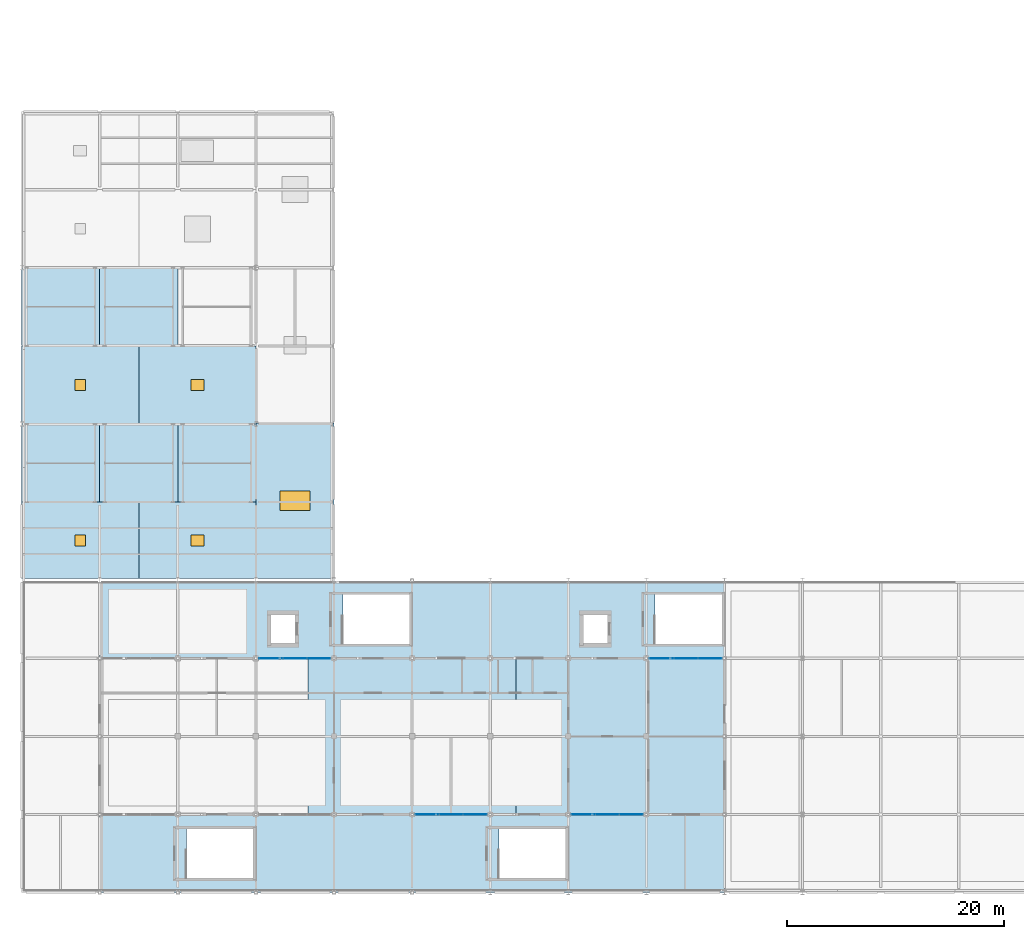
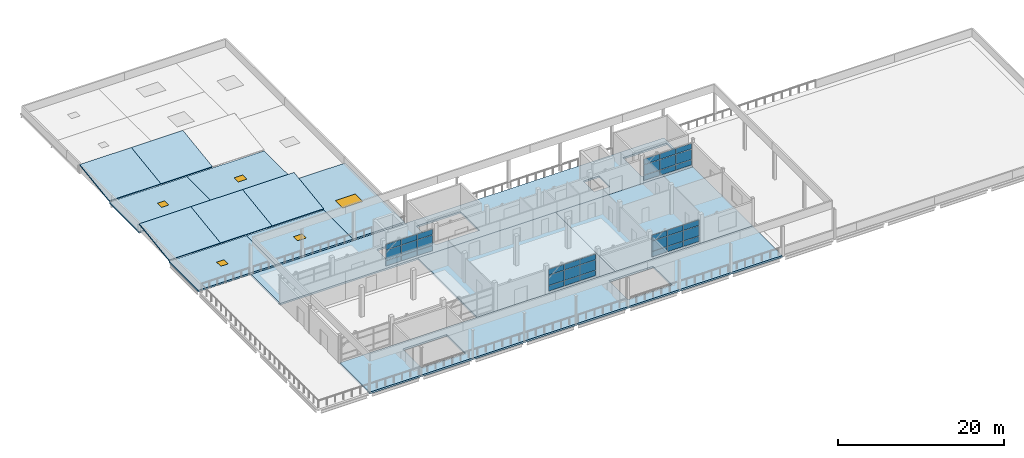
# One storey, part 16 of 32: 36 plates, 14 slabs, 4 doors, 1 window, 5 openings, 4 elements without a shape of their own.
"""IFC4 building model written with IfcOpenShell, lengths in metres."""

from ifc_helpers import new_model, si_unit, direction, frame, origin, origin_2d, place, context, subcontext, project, spatial, polyline, rectangle, outline, extrude, material, layer, layer_set, type_object, element, fill, aggregate, save


model = new_model("IFC4")

# Units and contexts
model_context = context("Model", 3, precision=1e-05, world=origin(), true_north=direction((0.0, 1.0)))
body_context = subcontext(model_context, "Body", "Model", "MODEL_VIEW")
ifc_project = project(units=[si_unit("LENGTHUNIT", "METRE"), si_unit("AREAUNIT", "SQUARE_METRE"), si_unit("VOLUMEUNIT", "CUBIC_METRE"), si_unit("PLANEANGLEUNIT", "RADIAN"), si_unit("MASSUNIT", "GRAM", prefix="KILO")], contexts=[model_context])

# Site, building, storey
site_placement = place(None, origin())
site = spatial("IfcSite", under=ifc_project, at=site_placement, CompositionType="ELEMENT")
building_placement = place(site_placement, origin())
building = spatial("IfcBuilding", under=site, at=building_placement, Name="Sardonyx Promenade Sports Hall", CompositionType="ELEMENT")
storey_placement = place(building_placement, frame((0.0, 0.0, 20.39990234375)))
storey = spatial("IfcBuildingStorey", under=building, at=storey_placement, Name="L04", CompositionType="ELEMENT", Elevation=20.39990234375)

# Curtain wall, plates
ifc_material_1 = material(Name="Aluminium 6063-T6", Category="aluminium")
curtain_wall_type = type_object("IfcCurtainWallType", Name="CW_Pavilion_L04_640", PredefinedType="USERDEFINED", material=ifc_material_1)
curtain_wall_1_placement = place(storey_placement, origin())
curtain_wall_1 = element("IfcCurtainWall", 1, at=curtain_wall_1_placement, inside=storey, type_object=curtain_wall_type, Name="Curtain wall CW10 cw:L04:169", ObjectType="CURTAIN WALL", PredefinedType="USERDEFINED")
ifc_material_2 = material(Name="Triple-glazed harbour solar IGU 40 mm", Category="glass")
ifc_layer_1 = layer(ifc_material_2, 0.0400390625)
ifc_layer_set_1 = layer_set([ifc_layer_1], Name="CW_Pan_Glz_40")
plate_type = type_object("IfcPlateType", Name="CW_Pan_Glz_40", PredefinedType="CURTAIN_PANEL", material=ifc_layer_set_1)
plate_1_placement = place(storey_placement, frame((23.0, 21.60009765625, 0.35986328125), z_axis=(0.0, 0.0, 1.0), x_axis=(1.0, 0.0, 0.0)))
plate_1 = element("IfcPlate", 2, at=plate_1_placement, type_object=plate_type, Name="Curtain panel CP04 cw:L04:169 #1", PredefinedType="CURTAIN_PANEL", context=body_context, shape_type="SweptSolid", body=[
    extrude(rectangle(XDim=2.139892578125, YDim=0.0400390625, at=origin_2d()), origin(), (0.0, 0.0, 1.0), 0.760009765625),
])
plate_2_placement = place(storey_placement, frame((23.0, 21.60009765625, 1.18017578125), z_axis=(0.0, 0.0, 1.0), x_axis=(1.0, 0.0, 0.0)))
plate_2 = element("IfcPlate", 3, at=plate_2_placement, type_object=plate_type, Name="Curtain panel CP04 cw:L04:169 #2", PredefinedType="CURTAIN_PANEL", context=body_context, shape_type="SweptSolid", body=[
    extrude(rectangle(XDim=2.139892578125, YDim=0.0400390625, at=origin_2d()), origin(), (0.0, 0.0, 1.0), 1.489990234375),
])
plate_3_placement = place(storey_placement, frame((23.0, 21.60009765625, 2.72998046875), z_axis=(0.0, 0.0, 1.0), x_axis=(1.0, 0.0, 0.0)))
plate_3 = element("IfcPlate", 4, at=plate_3_placement, type_object=plate_type, Name="Curtain panel CP04 cw:L04:169 #3", PredefinedType="CURTAIN_PANEL", context=body_context, shape_type="SweptSolid", body=[
    extrude(rectangle(XDim=2.139892578125, YDim=0.0400390625, at=origin_2d()), origin(), (0.0, 0.0, 1.0), 0.81005859375),
])
plate_4_placement = place(storey_placement, frame((25.199951171875, 21.60009765625, 0.35986328125), z_axis=(0.0, 0.0, 1.0), x_axis=(1.0, 0.0, 0.0)))
plate_4 = element("IfcPlate", 5, at=plate_4_placement, type_object=plate_type, Name="Curtain panel CP04 cw:L04:169 #4", PredefinedType="CURTAIN_PANEL", context=body_context, shape_type="SweptSolid", body=[
    extrude(rectangle(XDim=2.139892578125, YDim=0.0400390625, at=origin_2d()), origin(), (0.0, 0.0, 1.0), 0.760009765625),
])
plate_5_placement = place(storey_placement, frame((25.199951171875, 21.60009765625, 1.18017578125), z_axis=(0.0, 0.0, 1.0), x_axis=(1.0, 0.0, 0.0)))
plate_5 = element("IfcPlate", 6, at=plate_5_placement, type_object=plate_type, Name="Curtain panel CP04 cw:L04:169 #5", PredefinedType="CURTAIN_PANEL", context=body_context, shape_type="SweptSolid", body=[
    extrude(rectangle(XDim=2.139892578125, YDim=0.0400390625, at=origin_2d()), origin(), (0.0, 0.0, 1.0), 1.489990234375),
])
plate_6_placement = place(storey_placement, frame((25.199951171875, 21.60009765625, 2.72998046875), z_axis=(0.0, 0.0, 1.0), x_axis=(1.0, 0.0, 0.0)))
plate_6 = element("IfcPlate", 7, at=plate_6_placement, type_object=plate_type, Name="Curtain panel CP04 cw:L04:169 #6", PredefinedType="CURTAIN_PANEL", context=body_context, shape_type="SweptSolid", body=[
    extrude(rectangle(XDim=2.139892578125, YDim=0.0400390625, at=origin_2d()), origin(), (0.0, 0.0, 1.0), 0.81005859375),
])
plate_7_placement = place(storey_placement, frame((27.39990234375, 21.60009765625, 0.35986328125), z_axis=(0.0, 0.0, 1.0), x_axis=(1.0, 0.0, 0.0)))
plate_7 = element("IfcPlate", 8, at=plate_7_placement, type_object=plate_type, Name="Curtain panel CP04 cw:L04:169 #7", PredefinedType="CURTAIN_PANEL", context=body_context, shape_type="SweptSolid", body=[
    extrude(rectangle(XDim=2.139892578125, YDim=0.0400390625, at=origin_2d()), origin(), (0.0, 0.0, 1.0), 0.760009765625),
])
plate_8_placement = place(storey_placement, frame((27.39990234375, 21.60009765625, 1.18017578125), z_axis=(0.0, 0.0, 1.0), x_axis=(1.0, 0.0, 0.0)))
plate_8 = element("IfcPlate", 9, at=plate_8_placement, type_object=plate_type, Name="Curtain panel CP04 cw:L04:169 #8", PredefinedType="CURTAIN_PANEL", context=body_context, shape_type="SweptSolid", body=[
    extrude(rectangle(XDim=2.139892578125, YDim=0.0400390625, at=origin_2d()), origin(), (0.0, 0.0, 1.0), 1.489990234375),
])
plate_9_placement = place(storey_placement, frame((27.39990234375, 21.60009765625, 2.72998046875), z_axis=(0.0, 0.0, 1.0), x_axis=(1.0, 0.0, 0.0)))
plate_9 = element("IfcPlate", 10, at=plate_9_placement, type_object=plate_type, Name="Curtain panel CP04 cw:L04:169 #9", PredefinedType="CURTAIN_PANEL", context=body_context, shape_type="SweptSolid", body=[
    extrude(rectangle(XDim=2.139892578125, YDim=0.0400390625, at=origin_2d()), origin(), (0.0, 0.0, 1.0), 0.81005859375),
])
aggregate(curtain_wall_1, [plate_1, plate_2, plate_3, plate_4, plate_5, plate_6, plate_7, plate_8, plate_9])

curtain_wall_2_placement = place(storey_placement, origin())
curtain_wall_2 = element("IfcCurtainWall", 11, at=curtain_wall_2_placement, inside=storey, type_object=curtain_wall_type, Name="Curtain wall CW10 cw:L04:170", ObjectType="CURTAIN WALL", PredefinedType="USERDEFINED")
plate_10_placement = place(storey_placement, frame((59.0166015625, 21.60009765625, 0.35986328125), z_axis=(0.0, 0.0, 1.0), x_axis=(1.0, 0.0, 0.0)))
plate_10 = element("IfcPlate", 12, at=plate_10_placement, type_object=plate_type, Name="Curtain panel CP04 cw:L04:170 #1", PredefinedType="CURTAIN_PANEL", context=body_context, shape_type="SweptSolid", body=[
    extrude(rectangle(XDim=2.17333984375, YDim=0.0400390625, at=origin_2d()), origin(), (0.0, 0.0, 1.0), 0.760009765625),
])
plate_11_placement = place(storey_placement, frame((59.0166015625, 21.60009765625, 1.18017578125), z_axis=(0.0, 0.0, 1.0), x_axis=(1.0, 0.0, 0.0)))
plate_11 = element("IfcPlate", 13, at=plate_11_placement, type_object=plate_type, Name="Curtain panel CP04 cw:L04:170 #2", PredefinedType="CURTAIN_PANEL", context=body_context, shape_type="SweptSolid", body=[
    extrude(rectangle(XDim=2.17333984375, YDim=0.0400390625, at=origin_2d()), origin(), (0.0, 0.0, 1.0), 1.489990234375),
])
plate_12_placement = place(storey_placement, frame((59.0166015625, 21.60009765625, 2.72998046875), z_axis=(0.0, 0.0, 1.0), x_axis=(1.0, 0.0, 0.0)))
plate_12 = element("IfcPlate", 14, at=plate_12_placement, type_object=plate_type, Name="Curtain panel CP04 cw:L04:170 #3", PredefinedType="CURTAIN_PANEL", context=body_context, shape_type="SweptSolid", body=[
    extrude(rectangle(XDim=2.17333984375, YDim=0.0400390625, at=origin_2d()), origin(), (0.0, 0.0, 1.0), 0.81005859375),
])
plate_13_placement = place(storey_placement, frame((61.25, 21.60009765625, 0.35986328125), z_axis=(0.0, 0.0, 1.0), x_axis=(1.0, 0.0, 0.0)))
plate_13 = element("IfcPlate", 15, at=plate_13_placement, type_object=plate_type, Name="Curtain panel CP04 cw:L04:170 #4", PredefinedType="CURTAIN_PANEL", context=body_context, shape_type="SweptSolid", body=[
    extrude(rectangle(XDim=2.17333984375, YDim=0.0400390625, at=origin_2d()), origin(), (0.0, 0.0, 1.0), 0.760009765625),
])
plate_14_placement = place(storey_placement, frame((61.25, 21.60009765625, 1.18017578125), z_axis=(0.0, 0.0, 1.0), x_axis=(1.0, 0.0, 0.0)))
plate_14 = element("IfcPlate", 16, at=plate_14_placement, type_object=plate_type, Name="Curtain panel CP04 cw:L04:170 #5", PredefinedType="CURTAIN_PANEL", context=body_context, shape_type="SweptSolid", body=[
    extrude(rectangle(XDim=2.17333984375, YDim=0.0400390625, at=origin_2d()), origin(), (0.0, 0.0, 1.0), 1.489990234375),
])
plate_15_placement = place(storey_placement, frame((61.25, 21.60009765625, 2.72998046875), z_axis=(0.0, 0.0, 1.0), x_axis=(1.0, 0.0, 0.0)))
plate_15 = element("IfcPlate", 17, at=plate_15_placement, type_object=plate_type, Name="Curtain panel CP04 cw:L04:170 #6", PredefinedType="CURTAIN_PANEL", context=body_context, shape_type="SweptSolid", body=[
    extrude(rectangle(XDim=2.17333984375, YDim=0.0400390625, at=origin_2d()), origin(), (0.0, 0.0, 1.0), 0.81005859375),
])
plate_16_placement = place(storey_placement, frame((63.4833984375, 21.60009765625, 0.35986328125), z_axis=(0.0, 0.0, 1.0), x_axis=(1.0, 0.0, 0.0)))
plate_16 = element("IfcPlate", 18, at=plate_16_placement, type_object=plate_type, Name="Curtain panel CP04 cw:L04:170 #7", PredefinedType="CURTAIN_PANEL", context=body_context, shape_type="SweptSolid", body=[
    extrude(rectangle(XDim=2.17333984375, YDim=0.0400390625, at=origin_2d()), origin(), (0.0, 0.0, 1.0), 0.760009765625),
])
plate_17_placement = place(storey_placement, frame((63.4833984375, 21.60009765625, 1.18017578125), z_axis=(0.0, 0.0, 1.0), x_axis=(1.0, 0.0, 0.0)))
plate_17 = element("IfcPlate", 19, at=plate_17_placement, type_object=plate_type, Name="Curtain panel CP04 cw:L04:170 #8", PredefinedType="CURTAIN_PANEL", context=body_context, shape_type="SweptSolid", body=[
    extrude(rectangle(XDim=2.17333984375, YDim=0.0400390625, at=origin_2d()), origin(), (0.0, 0.0, 1.0), 1.489990234375),
])
plate_18_placement = place(storey_placement, frame((63.4833984375, 21.60009765625, 2.72998046875), z_axis=(0.0, 0.0, 1.0), x_axis=(1.0, 0.0, 0.0)))
plate_18 = element("IfcPlate", 20, at=plate_18_placement, type_object=plate_type, Name="Curtain panel CP04 cw:L04:170 #9", PredefinedType="CURTAIN_PANEL", context=body_context, shape_type="SweptSolid", body=[
    extrude(rectangle(XDim=2.17333984375, YDim=0.0400390625, at=origin_2d()), origin(), (0.0, 0.0, 1.0), 0.81005859375),
])
aggregate(curtain_wall_2, [plate_10, plate_11, plate_12, plate_13, plate_14, plate_15, plate_16, plate_17, plate_18])

curtain_wall_3_placement = place(storey_placement, origin())
curtain_wall_3 = element("IfcCurtainWall", 21, at=curtain_wall_3_placement, inside=storey, type_object=curtain_wall_type, Name="Curtain wall CW10 cw:L04:171", ObjectType="CURTAIN WALL", PredefinedType="USERDEFINED")
plate_19_placement = place(storey_placement, frame((56.199951171875, 7.199951171875, 0.35986328125), z_axis=(0.0, 0.0, 1.0), x_axis=(-1.0, 0.0, 0.0)))
plate_19 = element("IfcPlate", 22, at=plate_19_placement, type_object=plate_type, Name="Curtain panel CP04 cw:L04:171 #1", PredefinedType="CURTAIN_PANEL", context=body_context, shape_type="SweptSolid", body=[
    extrude(rectangle(XDim=2.139892578125, YDim=0.0400390625, at=origin_2d()), origin(), (0.0, 0.0, 1.0), 0.760009765625),
])
plate_20_placement = place(storey_placement, frame((56.199951171875, 7.199951171875, 1.18017578125), z_axis=(0.0, 0.0, 1.0), x_axis=(-1.0, 0.0, 0.0)))
plate_20 = element("IfcPlate", 23, at=plate_20_placement, type_object=plate_type, Name="Curtain panel CP04 cw:L04:171 #2", PredefinedType="CURTAIN_PANEL", context=body_context, shape_type="SweptSolid", body=[
    extrude(rectangle(XDim=2.139892578125, YDim=0.0400390625, at=origin_2d()), origin(), (0.0, 0.0, 1.0), 1.489990234375),
])
plate_21_placement = place(storey_placement, frame((56.199951171875, 7.199951171875, 2.72998046875), z_axis=(0.0, 0.0, 1.0), x_axis=(-1.0, 0.0, 0.0)))
plate_21 = element("IfcPlate", 24, at=plate_21_placement, type_object=plate_type, Name="Curtain panel CP04 cw:L04:171 #3", PredefinedType="CURTAIN_PANEL", context=body_context, shape_type="SweptSolid", body=[
    extrude(rectangle(XDim=2.139892578125, YDim=0.0400390625, at=origin_2d()), origin(), (0.0, 0.0, 1.0), 0.81005859375),
])
plate_22_placement = place(storey_placement, frame((54.0, 7.199951171875, 0.35986328125), z_axis=(0.0, 0.0, 1.0), x_axis=(-1.0, 0.0, 0.0)))
plate_22 = element("IfcPlate", 25, at=plate_22_placement, type_object=plate_type, Name="Curtain panel CP04 cw:L04:171 #4", PredefinedType="CURTAIN_PANEL", context=body_context, shape_type="SweptSolid", body=[
    extrude(rectangle(XDim=2.139892578125, YDim=0.0400390625, at=origin_2d()), origin(), (0.0, 0.0, 1.0), 0.760009765625),
])
plate_23_placement = place(storey_placement, frame((54.0, 7.199951171875, 1.18017578125), z_axis=(0.0, 0.0, 1.0), x_axis=(-1.0, 0.0, 0.0)))
plate_23 = element("IfcPlate", 26, at=plate_23_placement, type_object=plate_type, Name="Curtain panel CP04 cw:L04:171 #5", PredefinedType="CURTAIN_PANEL", context=body_context, shape_type="SweptSolid", body=[
    extrude(rectangle(XDim=2.139892578125, YDim=0.0400390625, at=origin_2d()), origin(), (0.0, 0.0, 1.0), 1.489990234375),
])
plate_24_placement = place(storey_placement, frame((54.0, 7.199951171875, 2.72998046875), z_axis=(0.0, 0.0, 1.0), x_axis=(-1.0, 0.0, 0.0)))
plate_24 = element("IfcPlate", 27, at=plate_24_placement, type_object=plate_type, Name="Curtain panel CP04 cw:L04:171 #6", PredefinedType="CURTAIN_PANEL", context=body_context, shape_type="SweptSolid", body=[
    extrude(rectangle(XDim=2.139892578125, YDim=0.0400390625, at=origin_2d()), origin(), (0.0, 0.0, 1.0), 0.81005859375),
])
plate_25_placement = place(storey_placement, frame((51.800048828125, 7.199951171875, 0.35986328125), z_axis=(0.0, 0.0, 1.0), x_axis=(-1.0, 0.0, 0.0)))
plate_25 = element("IfcPlate", 28, at=plate_25_placement, type_object=plate_type, Name="Curtain panel CP04 cw:L04:171 #7", PredefinedType="CURTAIN_PANEL", context=body_context, shape_type="SweptSolid", body=[
    extrude(rectangle(XDim=2.139892578125, YDim=0.0400390625, at=origin_2d()), origin(), (0.0, 0.0, 1.0), 0.760009765625),
])
plate_26_placement = place(storey_placement, frame((51.800048828125, 7.199951171875, 1.18017578125), z_axis=(0.0, 0.0, 1.0), x_axis=(-1.0, 0.0, 0.0)))
plate_26 = element("IfcPlate", 29, at=plate_26_placement, type_object=plate_type, Name="Curtain panel CP04 cw:L04:171 #8", PredefinedType="CURTAIN_PANEL", context=body_context, shape_type="SweptSolid", body=[
    extrude(rectangle(XDim=2.139892578125, YDim=0.0400390625, at=origin_2d()), origin(), (0.0, 0.0, 1.0), 1.489990234375),
])
plate_27_placement = place(storey_placement, frame((51.800048828125, 7.199951171875, 2.72998046875), z_axis=(0.0, 0.0, 1.0), x_axis=(-1.0, 0.0, 0.0)))
plate_27 = element("IfcPlate", 30, at=plate_27_placement, type_object=plate_type, Name="Curtain panel CP04 cw:L04:171 #9", PredefinedType="CURTAIN_PANEL", context=body_context, shape_type="SweptSolid", body=[
    extrude(rectangle(XDim=2.139892578125, YDim=0.0400390625, at=origin_2d()), origin(), (0.0, 0.0, 1.0), 0.81005859375),
])
aggregate(curtain_wall_3, [plate_19, plate_20, plate_21, plate_22, plate_23, plate_24, plate_25, plate_26, plate_27])

curtain_wall_4_placement = place(storey_placement, origin())
curtain_wall_4 = element("IfcCurtainWall", 31, at=curtain_wall_4_placement, inside=storey, type_object=curtain_wall_type, Name="Curtain wall CW10 cw:L04:172", ObjectType="CURTAIN WALL", PredefinedType="USERDEFINED")
plate_28_placement = place(storey_placement, frame((41.800048828125, 7.199951171875, 0.35986328125), z_axis=(0.0, 0.0, 1.0), x_axis=(-1.0, 0.0, 0.0)))
plate_28 = element("IfcPlate", 32, at=plate_28_placement, type_object=plate_type, Name="Curtain panel CP04 cw:L04:172 #1", PredefinedType="CURTAIN_PANEL", context=body_context, shape_type="SweptSolid", body=[
    extrude(rectangle(XDim=2.139892578125, YDim=0.0400390625, at=origin_2d()), origin(), (0.0, 0.0, 1.0), 0.760009765625),
])
plate_29_placement = place(storey_placement, frame((41.800048828125, 7.199951171875, 1.18017578125), z_axis=(0.0, 0.0, 1.0), x_axis=(-1.0, 0.0, 0.0)))
plate_29 = element("IfcPlate", 33, at=plate_29_placement, type_object=plate_type, Name="Curtain panel CP04 cw:L04:172 #2", PredefinedType="CURTAIN_PANEL", context=body_context, shape_type="SweptSolid", body=[
    extrude(rectangle(XDim=2.139892578125, YDim=0.0400390625, at=origin_2d()), origin(), (0.0, 0.0, 1.0), 1.489990234375),
])
plate_30_placement = place(storey_placement, frame((41.800048828125, 7.199951171875, 2.72998046875), z_axis=(0.0, 0.0, 1.0), x_axis=(-1.0, 0.0, 0.0)))
plate_30 = element("IfcPlate", 34, at=plate_30_placement, type_object=plate_type, Name="Curtain panel CP04 cw:L04:172 #3", PredefinedType="CURTAIN_PANEL", context=body_context, shape_type="SweptSolid", body=[
    extrude(rectangle(XDim=2.139892578125, YDim=0.0400390625, at=origin_2d()), origin(), (0.0, 0.0, 1.0), 0.81005859375),
])
plate_31_placement = place(storey_placement, frame((39.60009765625, 7.199951171875, 0.35986328125), z_axis=(0.0, 0.0, 1.0), x_axis=(-1.0, 0.0, 0.0)))
plate_31 = element("IfcPlate", 35, at=plate_31_placement, type_object=plate_type, Name="Curtain panel CP04 cw:L04:172 #4", PredefinedType="CURTAIN_PANEL", context=body_context, shape_type="SweptSolid", body=[
    extrude(rectangle(XDim=2.139892578125, YDim=0.0400390625, at=origin_2d()), origin(), (0.0, 0.0, 1.0), 0.760009765625),
])
plate_32_placement = place(storey_placement, frame((39.60009765625, 7.199951171875, 1.18017578125), z_axis=(0.0, 0.0, 1.0), x_axis=(-1.0, 0.0, 0.0)))
plate_32 = element("IfcPlate", 36, at=plate_32_placement, type_object=plate_type, Name="Curtain panel CP04 cw:L04:172 #5", PredefinedType="CURTAIN_PANEL", context=body_context, shape_type="SweptSolid", body=[
    extrude(rectangle(XDim=2.139892578125, YDim=0.0400390625, at=origin_2d()), origin(), (0.0, 0.0, 1.0), 1.489990234375),
])
plate_33_placement = place(storey_placement, frame((39.60009765625, 7.199951171875, 2.72998046875), z_axis=(0.0, 0.0, 1.0), x_axis=(-1.0, 0.0, 0.0)))
plate_33 = element("IfcPlate", 37, at=plate_33_placement, type_object=plate_type, Name="Curtain panel CP04 cw:L04:172 #6", PredefinedType="CURTAIN_PANEL", context=body_context, shape_type="SweptSolid", body=[
    extrude(rectangle(XDim=2.139892578125, YDim=0.0400390625, at=origin_2d()), origin(), (0.0, 0.0, 1.0), 0.81005859375),
])
plate_34_placement = place(storey_placement, frame((37.39990234375, 7.199951171875, 0.35986328125), z_axis=(0.0, 0.0, 1.0), x_axis=(-1.0, 0.0, 0.0)))
plate_34 = element("IfcPlate", 38, at=plate_34_placement, type_object=plate_type, Name="Curtain panel CP04 cw:L04:172 #7", PredefinedType="CURTAIN_PANEL", context=body_context, shape_type="SweptSolid", body=[
    extrude(rectangle(XDim=2.139892578125, YDim=0.0400390625, at=origin_2d()), origin(), (0.0, 0.0, 1.0), 0.760009765625),
])
plate_35_placement = place(storey_placement, frame((37.39990234375, 7.199951171875, 1.18017578125), z_axis=(0.0, 0.0, 1.0), x_axis=(-1.0, 0.0, 0.0)))
plate_35 = element("IfcPlate", 39, at=plate_35_placement, type_object=plate_type, Name="Curtain panel CP04 cw:L04:172 #8", PredefinedType="CURTAIN_PANEL", context=body_context, shape_type="SweptSolid", body=[
    extrude(rectangle(XDim=2.139892578125, YDim=0.0400390625, at=origin_2d()), origin(), (0.0, 0.0, 1.0), 1.489990234375),
])
plate_36_placement = place(storey_placement, frame((37.39990234375, 7.199951171875, 2.72998046875), z_axis=(0.0, 0.0, 1.0), x_axis=(-1.0, 0.0, 0.0)))
plate_36 = element("IfcPlate", 40, at=plate_36_placement, type_object=plate_type, Name="Curtain panel CP04 cw:L04:172 #9", PredefinedType="CURTAIN_PANEL", context=body_context, shape_type="SweptSolid", body=[
    extrude(rectangle(XDim=2.139892578125, YDim=0.0400390625, at=origin_2d()), origin(), (0.0, 0.0, 1.0), 0.81005859375),
])
aggregate(curtain_wall_4, [plate_28, plate_29, plate_30, plate_31, plate_32, plate_33, plate_34, plate_35, plate_36])

# Slabs
ifc_material_3 = material(Name="Concrete C40/50", Category="concrete")
ifc_layer_2 = layer(ifc_material_3, 0.260009765625)
ifc_layer_set_2 = layer_set([ifc_layer_2], Name="Slab_Ext_Track_260")
slab_type_1 = type_object("IfcSlabType", Name="Slab_Ext_Track_260", PredefinedType="FLOOR", material=ifc_layer_set_2)
slab_1_placement = place(storey_placement, frame((0.0, 0.0, -0.260009765625)))
element("IfcSlab", 41, at=slab_1_placement, inside=storey, type_object=slab_type_1, Name="Rooftop running track south straight L04", PredefinedType="FLOOR", context=body_context, shape_type="SweptSolid", body=[
    extrude(outline(polyline([(7.199951171875, 7.199951171875), (7.199951171875, 0.0), (64.800048828125, 0.0), (64.800048828125, 7.199951171875), (7.199951171875, 7.199951171875)]), holes=[polyline([(44.010009765625, 5.875), (50.14990234375, 5.875), (50.14990234375, 1.324951171875), (44.010009765625, 1.324951171875), (44.010009765625, 5.875)]), polyline([(15.2099609375, 1.324951171875), (15.2099609375, 5.875), (21.35009765625, 5.875), (21.35009765625, 1.324951171875), (15.2099609375, 1.324951171875)])]), origin(), (0.0, 0.0, 1.0), 0.260009765625),
])
slab_2_placement = place(storey_placement, frame((0.0, 0.0, -0.260009765625)))
element("IfcSlab", 42, at=slab_2_placement, inside=storey, type_object=slab_type_1, Name="Rooftop running track north straight L04", PredefinedType="FLOOR", context=body_context, shape_type="SweptSolid", body=[
    extrude(outline(polyline([(7.199951171875, 28.64990234375), (7.199951171875, 21.60009765625), (64.800048828125, 21.60009765625), (64.800048828125, 28.64990234375), (7.199951171875, 28.64990234375)]), holes=[polyline([(58.409912109375, 27.47509765625), (64.550048828125, 27.47509765625), (64.550048828125, 22.925048828125), (58.409912109375, 22.925048828125), (58.409912109375, 27.47509765625)]), polyline([(51.7900390625, 22.989990234375), (51.7900390625, 25.610107421875), (54.010009765625, 25.610107421875), (54.010009765625, 22.989990234375), (51.7900390625, 22.989990234375)]), polyline([(29.610107421875, 27.47509765625), (35.75, 27.47509765625), (35.75, 22.925048828125), (29.610107421875, 22.925048828125), (29.610107421875, 27.47509765625)]), polyline([(22.989990234375, 25.610107421875), (25.2099609375, 25.610107421875), (25.2099609375, 22.989990234375), (22.989990234375, 22.989990234375), (22.989990234375, 25.610107421875)])]), origin(), (0.0, 0.0, 1.0), 0.260009765625),
])
ifc_material_4 = material(Name="Concrete C40/50", Category="concrete")
ifc_layer_3 = layer(ifc_material_4, 0.27001953125)
ifc_layer_set_3 = layer_set([ifc_layer_3], Name="Slab_Floor_Studio_250")
slab_type_2 = type_object("IfcSlabType", Name="Slab_Floor_Studio_250", PredefinedType="FLOOR", material=ifc_layer_set_3)
slab_3_placement = place(storey_placement, frame((0.0, 0.0, -0.27001953125)))
element("IfcSlab", 43, at=slab_3_placement, inside=storey, type_object=slab_type_2, Name="Slab FS03 L04 #207", PredefinedType="FLOOR", context=body_context, shape_type="SweptSolid", body=[
    extrude(outline(polyline([(26.39990234375, 7.199951171875), (45.60009765625, 7.199951171875), (45.60009765625, 21.60009765625), (26.39990234375, 21.60009765625), (26.39990234375, 7.199951171875)])), origin(), (0.0, 0.0, 1.0), 0.27001953125),
])
slab_4_placement = place(storey_placement, frame((0.0, 0.0, -0.27001953125)))
element("IfcSlab", 44, at=slab_4_placement, inside=storey, type_object=slab_type_2, Name="Slab FS03 L04 #208", PredefinedType="FLOOR", context=body_context, shape_type="SweptSolid", body=[
    extrude(outline(polyline([(45.60009765625, 7.199951171875), (64.800048828125, 7.199951171875), (64.800048828125, 21.60009765625), (45.60009765625, 21.60009765625), (45.60009765625, 7.199951171875)])), origin(), (0.0, 0.0, 1.0), 0.27001953125),
])

# Slab, opening, door
ifc_material_5 = material(Name="Concrete C40/50", Category="concrete")
ifc_layer_4 = layer(ifc_material_5, 0.22998046875)
ifc_layer_set_4 = layer_set([ifc_layer_4], Name="Slab_Roof_Flat_230")
slab_type_3 = type_object("IfcSlabType", Name="Slab_Roof_Flat_230", PredefinedType="ROOF", material=ifc_layer_set_4)
slab_5_placement = place(storey_placement, frame((0.0, 0.0, -0.22998046875)))
slab_5 = element("IfcSlab", 45, at=slab_5_placement, inside=storey, type_object=slab_type_3, Name="Slab RS02 L04 #213", PredefinedType="ROOF", context=body_context, shape_type="SweptSolid", body=[
    extrude(outline(polyline([(0.0, 28.949951171875), (10.800048828125, 28.949951171875), (10.800048828125, 36.0), (0.0, 36.0), (0.0, 28.949951171875)])), origin(), (0.0, 0.0, 1.0), 0.232177734375),
])
opening_1_placement = place(slab_5_placement, frame((5.39990234375, 32.47509765625, 0.0)))
opening_1 = element("IfcOpeningElement", 46, at=opening_1_placement, cuts=slab_5, Name="Opening ED10", PredefinedType="OPENING", context=body_context, shape_type="SweptSolid", body=[
    extrude(rectangle(XDim=1.0, YDim=1.0, at=origin_2d()), origin(), (0.0, 0.0, 1.0), 0.232177734375),
])
ifc_material_6 = material(Name="Thermally broken anodised aluminium glazed door", Category="aluminium")
door_type_1 = type_object("IfcDoorType", Name="Door_RoofHatch_100x100", OperationType="NOTDEFINED", PredefinedType="TRAPDOOR", material=ifc_material_6)
door_1_placement = place(opening_1_placement, frame((0.0, 0.0, 0.18212890625)))
door_1 = element("IfcDoor", 47, at=door_1_placement, inside=storey, type_object=door_type_1, Name="Roof access hatch RH01", OperationType="SINGLE_SWING_LEFT", OverallHeight=1.0, OverallWidth=1.0, PredefinedType="TRAPDOOR", context=body_context, shape_type="SweptSolid", body=[
    extrude(rectangle(XDim=1.0, YDim=1.0, at=origin_2d()), origin(), (0.0, 0.0, 1.0), 0.050048828125),
])
fill(opening_1, door_1)

slab_6_placement = place(storey_placement, frame((0.0, 0.0, -0.22998046875)))
slab_6 = element("IfcSlab", 48, at=slab_6_placement, inside=storey, type_object=slab_type_3, Name="Slab RS02 L04 #214", PredefinedType="ROOF", context=body_context, shape_type="SweptSolid", body=[
    extrude(outline(polyline([(10.800048828125, 28.949951171875), (21.60009765625, 28.949951171875), (21.60009765625, 36.0), (10.800048828125, 36.0), (10.800048828125, 28.949951171875)])), origin(), (0.0, 0.0, 1.0), 0.232177734375),
])
opening_2_placement = place(slab_6_placement, frame((16.199951171875, 32.47509765625, 0.0)))
opening_2 = element("IfcOpeningElement", 49, at=opening_2_placement, cuts=slab_6, Name="Opening ED09", PredefinedType="OPENING", context=body_context, shape_type="SweptSolid", body=[
    extrude(rectangle(XDim=1.199951171875, YDim=1.0, at=origin_2d()), origin(), (0.0, 0.0, 1.0), 0.232177734375),
])
ifc_material_7 = material(Name="Thermally broken anodised aluminium glazed door", Category="aluminium")
door_type_2 = type_object("IfcDoorType", Name="Door_RoofHatch_120x100", OperationType="NOTDEFINED", PredefinedType="TRAPDOOR", material=ifc_material_7)
door_2_placement = place(opening_2_placement, frame((0.0, 0.0, 0.18212890625)))
door_2 = element("IfcDoor", 50, at=door_2_placement, inside=storey, type_object=door_type_2, Name="Roof access hatch RH02", OperationType="SINGLE_SWING_LEFT", OverallHeight=1.0, OverallWidth=1.199951171875, PredefinedType="TRAPDOOR", context=body_context, shape_type="SweptSolid", body=[
    extrude(rectangle(XDim=1.199951171875, YDim=1.0, at=origin_2d()), origin(), (0.0, 0.0, 1.0), 0.050048828125),
])
fill(opening_2, door_2)

slab_7_placement = place(storey_placement, frame((0.0, 0.0, -0.22998046875)))
slab_7 = element("IfcSlab", 51, at=slab_7_placement, inside=storey, type_object=slab_type_3, Name="Slab RS02 L04 #215", PredefinedType="ROOF", context=body_context, shape_type="SweptSolid", body=[
    extrude(outline(polyline([(0.0, 43.199951171875), (10.800048828125, 43.199951171875), (10.800048828125, 50.39990234375), (0.0, 50.39990234375), (0.0, 43.199951171875)])), origin(), (0.0, 0.0, 1.0), 0.232177734375),
])
opening_3_placement = place(slab_7_placement, frame((5.39990234375, 46.800048828125, 0.0)))
opening_3 = element("IfcOpeningElement", 52, at=opening_3_placement, cuts=slab_7, Name="Opening ED10", PredefinedType="OPENING", context=body_context, shape_type="SweptSolid", body=[
    extrude(rectangle(XDim=1.0, YDim=1.0, at=origin_2d()), origin(), (0.0, 0.0, 1.0), 0.232177734375),
])
door_3_placement = place(opening_3_placement, frame((0.0, 0.0, 0.18212890625)))
door_3 = element("IfcDoor", 53, at=door_3_placement, inside=storey, type_object=door_type_1, Name="Roof access hatch RH03", OperationType="SINGLE_SWING_LEFT", OverallHeight=1.0, OverallWidth=1.0, PredefinedType="TRAPDOOR", context=body_context, shape_type="SweptSolid", body=[
    extrude(rectangle(XDim=1.0, YDim=1.0, at=origin_2d()), origin(), (0.0, 0.0, 1.0), 0.050048828125),
])
fill(opening_3, door_3)

slab_8_placement = place(storey_placement, frame((0.0, 0.0, -0.22998046875)))
slab_8 = element("IfcSlab", 54, at=slab_8_placement, inside=storey, type_object=slab_type_3, Name="Slab RS02 L04 #216", PredefinedType="ROOF", context=body_context, shape_type="SweptSolid", body=[
    extrude(outline(polyline([(10.800048828125, 43.199951171875), (21.60009765625, 43.199951171875), (21.60009765625, 50.39990234375), (10.800048828125, 50.39990234375), (10.800048828125, 43.199951171875)])), origin(), (0.0, 0.0, 1.0), 0.232177734375),
])
opening_4_placement = place(slab_8_placement, frame((16.199951171875, 46.800048828125, 0.0)))
opening_4 = element("IfcOpeningElement", 55, at=opening_4_placement, cuts=slab_8, Name="Opening ED09", PredefinedType="OPENING", context=body_context, shape_type="SweptSolid", body=[
    extrude(rectangle(XDim=1.199951171875, YDim=1.0, at=origin_2d()), origin(), (0.0, 0.0, 1.0), 0.232177734375),
])
door_4_placement = place(opening_4_placement, frame((0.0, 0.0, 0.18212890625)))
door_4 = element("IfcDoor", 56, at=door_4_placement, inside=storey, type_object=door_type_2, Name="Roof access hatch RH04", OperationType="SINGLE_SWING_LEFT", OverallHeight=1.0, OverallWidth=1.199951171875, PredefinedType="TRAPDOOR", context=body_context, shape_type="SweptSolid", body=[
    extrude(rectangle(XDim=1.199951171875, YDim=1.0, at=origin_2d()), origin(), (0.0, 0.0, 1.0), 0.050048828125),
])
fill(opening_4, door_4)

# Slab, opening, window
slab_9_placement = place(storey_placement, frame((0.0, 0.0, -0.22998046875)))
slab_9 = element("IfcSlab", 57, at=slab_9_placement, inside=storey, type_object=slab_type_3, Name="Slab RS02 L04 #221", PredefinedType="ROOF", context=body_context, shape_type="SweptSolid", body=[
    extrude(outline(polyline([(21.60009765625, 28.949951171875), (28.800048828125, 28.949951171875), (28.800048828125, 43.300048828125), (21.60009765625, 43.300048828125), (21.60009765625, 28.949951171875)])), origin(), (0.0, 0.0, 1.0), 0.22998046875),
])
opening_5_placement = place(slab_9_placement, frame((25.199951171875, 36.125, 0.0)))
opening_5 = element("IfcOpeningElement", 58, at=opening_5_placement, cuts=slab_9, Name="Opening W18", PredefinedType="OPENING", context=body_context, shape_type="SweptSolid", body=[
    extrude(rectangle(XDim=2.800048828125, YDim=1.800048828125, at=origin_2d()), origin(), (0.0, 0.0, 1.0), 0.22998046875),
])
ifc_material_8 = material(Name="Double-glazed solar low-E aluminium window", Category="aluminium")
window_type = type_object("IfcWindowType", Name="Sky_Climb_280x180", PartitioningType="DOUBLE_PANEL_VERTICAL", PredefinedType="SKYLIGHT", material=ifc_material_8)
window_placement = place(opening_5_placement, frame((0.0, 0.0, 0.179931640625)))
window = element("IfcWindow", 59, at=window_placement, inside=storey, type_object=window_type, Name="Modular skylight W18 #15", OverallHeight=1.800048828125, OverallWidth=2.800048828125, PartitioningType="SINGLE_PANEL", PredefinedType="SKYLIGHT", context=body_context, shape_type="SweptSolid", body=[
    extrude(rectangle(XDim=2.800048828125, YDim=1.800048828125, at=origin_2d()), origin(), (0.0, 0.0, 1.0), 0.050048828125),
])
fill(opening_5, window)

# Slabs
ifc_material_9 = material(Name="Concrete C40/50", Category="concrete")
ifc_layer_5 = layer(ifc_material_9, 0.159912109375)
ifc_layer_set_5 = layer_set([ifc_layer_5], Name="Slab_Roof_Sloped_160")
slab_type_4 = type_object("IfcSlabType", Name="Slab_Roof_Sloped_160", PredefinedType="ROOF", material=ifc_layer_set_5)
slab_10_placement = place(storey_placement, frame((0.0, 36.02001953125, 0.18017578125), z_axis=(0.0, -0.139913342316, 0.990163752438), x_axis=(1.0, 0.0, 0.0)))
element("IfcSlab", 60, at=slab_10_placement, inside=storey, type_object=slab_type_4, Name="Climbing north-light clerestory hood #1", PredefinedType="ROOF", context=body_context, shape_type="SweptSolid", body=[
    extrude(outline(polyline([(0.0, 0.0), (7.199951171875, 0.0), (7.199951171875, 7.231038393140802), (0.0, 7.231038393140802), (0.0, 0.0)])), origin(), (0.0, 0.0, -1.0), 0.159912109375),
])
slab_11_placement = place(storey_placement, frame((0.0, 50.419921875, 0.18017578125), z_axis=(0.0, -0.13990866506, 0.990164413338), x_axis=(1.0, 0.0, 0.0)))
element("IfcSlab", 61, at=slab_11_placement, inside=storey, type_object=slab_type_4, Name="Climbing north-light clerestory hood #2", PredefinedType="ROOF", context=body_context, shape_type="SweptSolid", body=[
    extrude(outline(polyline([(0.0, 0.0), (7.199951171875, 0.0), (7.199951171875, 7.231280132418853), (0.0, 7.231280132418853), (0.0, 0.0)])), origin(), (0.0, 0.0, -1.0), 0.159912109375),
])
slab_12_placement = place(storey_placement, frame((7.199951171875, 36.02001953125, 0.18017578125), z_axis=(0.0, -0.139913342316, 0.990163752438), x_axis=(1.0, 0.0, 0.0)))
element("IfcSlab", 62, at=slab_12_placement, inside=storey, type_object=slab_type_4, Name="Climbing north-light clerestory hood #3", PredefinedType="ROOF", context=body_context, shape_type="SweptSolid", body=[
    extrude(outline(polyline([(0.0, 0.0), (7.199951171875, 0.0), (7.199951171875, 7.231038393140802), (0.0, 7.231038393140802), (0.0, 0.0)])), origin(), (0.0, 0.0, -1.0), 0.159912109375),
])
slab_13_placement = place(storey_placement, frame((7.199951171875, 50.419921875, 0.18017578125), z_axis=(0.0, -0.13990866506, 0.990164413338), x_axis=(1.0, 0.0, 0.0)))
element("IfcSlab", 63, at=slab_13_placement, inside=storey, type_object=slab_type_4, Name="Climbing north-light clerestory hood #4", PredefinedType="ROOF", context=body_context, shape_type="SweptSolid", body=[
    extrude(outline(polyline([(0.0, 0.0), (7.199951171875, 0.0), (7.199951171875, 7.231280132418853), (0.0, 7.231280132418853), (0.0, 0.0)])), origin(), (0.0, 0.0, -1.0), 0.159912109375),
])
slab_14_placement = place(storey_placement, frame((14.39990234375, 36.02001953125, 0.18017578125), z_axis=(0.0, -0.139913342316, 0.990163752438), x_axis=(1.0, 0.0, 0.0)))
element("IfcSlab", 64, at=slab_14_placement, inside=storey, type_object=slab_type_4, Name="Climbing north-light clerestory hood #5", PredefinedType="ROOF", context=body_context, shape_type="SweptSolid", body=[
    extrude(outline(polyline([(0.0, 0.0), (7.2001953125, 0.0), (7.2001953125, 7.231038393140803), (0.0, 7.231038393140803), (0.0, 0.0)])), origin(), (0.0, 0.0, -1.0), 0.159912109375),
])

save(model, "model.ifc")
